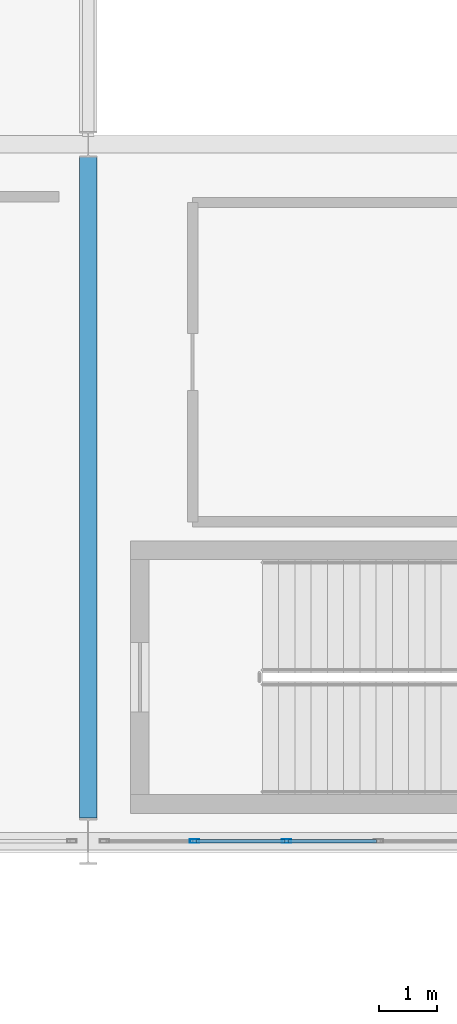
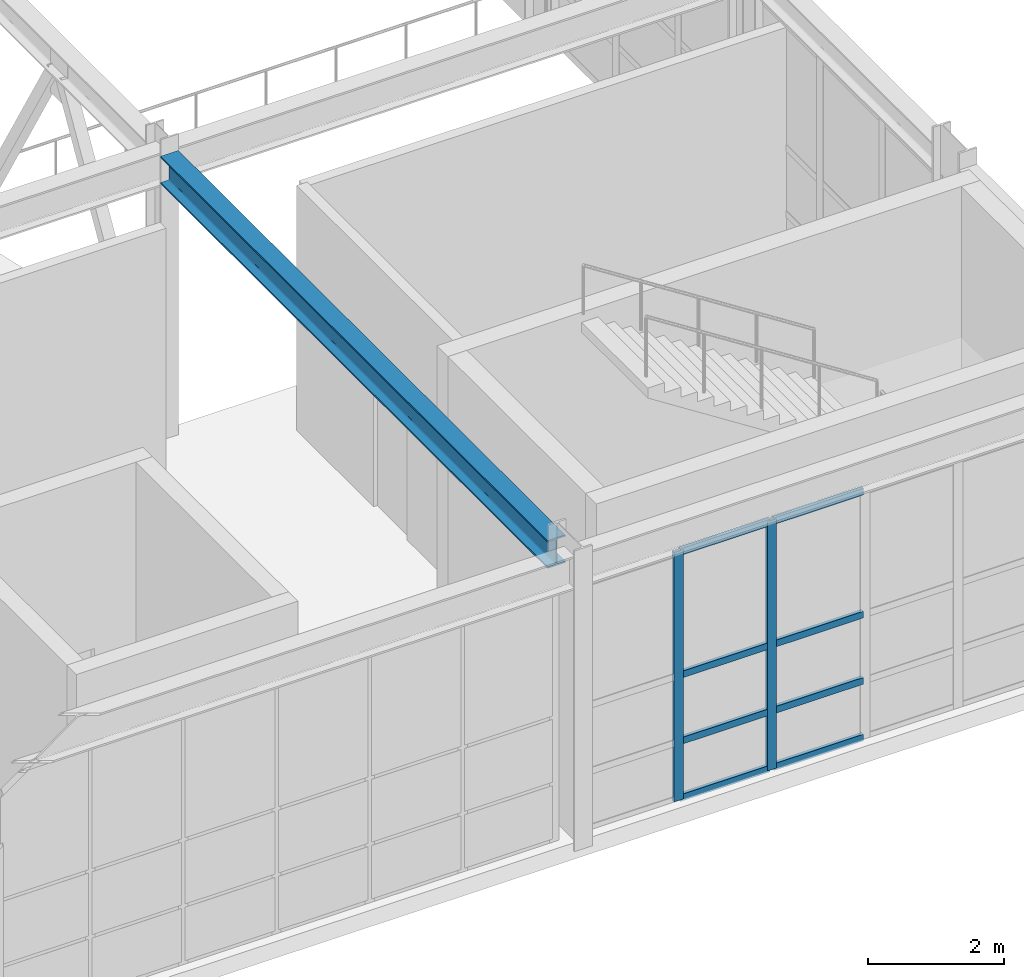
# One storey, part 114 of 210: 10 members, 1 beam, 1 element without a shape of its own.
"""IFC4 building model written with IfcOpenShell, lengths in metres."""

from ifc_helpers import new_model, si_unit, direction, frame, origin, origin_2d, place, context, subcontext, project, spatial, hollow_rectangle, i_section, extrude, material, material_profile, profile_set, type_object, element, aggregate, save


model = new_model("IFC4")

# Units and contexts
model_context = context("Model", 3, precision=1e-05, world=origin(), true_north=direction((0.0, 1.0)))
body_context = subcontext(model_context, "Body", "Model", "MODEL_VIEW")
ifc_project = project(units=[si_unit("LENGTHUNIT", "METRE"), si_unit("AREAUNIT", "SQUARE_METRE"), si_unit("VOLUMEUNIT", "CUBIC_METRE"), si_unit("PLANEANGLEUNIT", "RADIAN"), si_unit("MASSUNIT", "GRAM", prefix="KILO")], contexts=[model_context])

# Site, building, storey
site_placement = place(None, origin())
site = spatial("IfcSite", under=ifc_project, at=site_placement, CompositionType="ELEMENT")
building_placement = place(site_placement, origin())
building = spatial("IfcBuilding", under=site, at=building_placement, Name="Kaldris Quays Convention Centre", CompositionType="ELEMENT")
storey_placement = place(building_placement, frame((0.0, 0.0, 6.0)))
storey = spatial("IfcBuildingStorey", under=building, at=storey_placement, Name="L01", CompositionType="ELEMENT", Elevation=6.0)

# Curtain wall, members
ifc_material_1 = material(Name="Anodized aluminium AW-6060 and triple glazing", Category="aluminium")
curtain_wall_type = type_object("IfcCurtainWallType", Name="UNITISED CURTAIN WALL CW01", PredefinedType="NOTDEFINED", material=ifc_material_1)
curtain_wall_placement = place(storey_placement, origin())
curtain_wall = element("IfcCurtainWall", 1, at=curtain_wall_placement, inside=storey, type_object=curtain_wall_type, Name="L01 Unitised Curtain Wall CW01 25", PredefinedType="NOTDEFINED")
ifc_material_2 = material(Name="Anodized aluminium AW-6060", Category="aluminium")
ifc_material_profile_1 = material_profile(ifc_material_2, hollow_rectangle(XDim=0.06005859375, YDim=0.159912109375, WallThickness=0.00390625, at=origin_2d()), Name="RHS 160x60x4")
ifc_profile_set_1 = profile_set([ifc_material_profile_1], Name="Anodized aluminium AW-6060")
member_type_1 = type_object("IfcMemberType", Name="CURTAIN MULLION CWM1", PredefinedType="MULLION", material=ifc_profile_set_1)
member_1_placement = place(storey_placement, frame((195.833251953125, 56.0, 0.0), z_axis=(0.0, 0.0, 1.0), x_axis=(0.0, 1.0, 0.0)))
member_1 = element("IfcMember", 2, at=member_1_placement, type_object=member_type_1, Name="CW01 mullion 2", PredefinedType="MULLION", context=body_context, shape_type="SweptSolid", body=[
    extrude(hollow_rectangle(XDim=0.06005859375, YDim=0.159912109375, WallThickness=0.00390625, at=origin_2d()), origin(), (0.0, 0.0, 1.0), 4.47802734375),
])
member_2_placement = place(storey_placement, frame((197.416748046875, 56.0, 0.0), z_axis=(0.0, 0.0, 1.0), x_axis=(0.0, 1.0, 0.0)))
member_2 = element("IfcMember", 3, at=member_2_placement, type_object=member_type_1, Name="CW01 mullion 3", PredefinedType="MULLION", context=body_context, shape_type="SweptSolid", body=[
    extrude(hollow_rectangle(XDim=0.06005859375, YDim=0.159912109375, WallThickness=0.00390625, at=origin_2d()), origin(), (0.0, 0.0, 1.0), 4.47802734375),
])
ifc_material_profile_2 = material_profile(ifc_material_2, hollow_rectangle(XDim=0.06005859375, YDim=0.1201171875, WallThickness=0.00390625, at=origin_2d()), Name="RHS 120x60x4")
ifc_profile_set_2 = profile_set([ifc_material_profile_2], Name="Anodized aluminium AW-6060")
member_type_2 = type_object("IfcMemberType", Name="CURTAIN TRANSOM CWT1", PredefinedType="USERDEFINED", material=ifc_profile_set_2)
member_3_placement = place(storey_placement, frame((195.86328125, 56.0, 0.030029296875), z_axis=(1.0, 0.0, 0.0), x_axis=(0.0, 1.0, 0.0)))
member_3 = element("IfcMember", 4, at=member_3_placement, type_object=member_type_2, Name="CW01 transom 2.1", ObjectType="TRANSOM", PredefinedType="USERDEFINED", context=body_context, shape_type="SweptSolid", body=[
    extrude(hollow_rectangle(XDim=0.06005859375, YDim=0.1201171875, WallThickness=0.00390625, at=origin_2d()), origin(), (0.0, 0.0, 1.0), 1.5234375),
])
member_4_placement = place(storey_placement, frame((195.86328125, 56.0, 1.050048828125), z_axis=(1.0, 0.0, 0.0), x_axis=(0.0, 1.0, 0.0)))
member_4 = element("IfcMember", 5, at=member_4_placement, type_object=member_type_2, Name="CW01 transom 2.2", ObjectType="TRANSOM", PredefinedType="USERDEFINED", context=body_context, shape_type="SweptSolid", body=[
    extrude(hollow_rectangle(XDim=0.06005859375, YDim=0.1201171875, WallThickness=0.00390625, at=origin_2d()), origin(), (0.0, 0.0, 1.0), 1.5234375),
])
member_5_placement = place(storey_placement, frame((195.86328125, 56.0, 2.239013671875), z_axis=(1.0, 0.0, 0.0), x_axis=(0.0, 1.0, 0.0)))
member_5 = element("IfcMember", 6, at=member_5_placement, type_object=member_type_2, Name="CW01 transom 2.3", ObjectType="TRANSOM", PredefinedType="USERDEFINED", context=body_context, shape_type="SweptSolid", body=[
    extrude(hollow_rectangle(XDim=0.06005859375, YDim=0.1201171875, WallThickness=0.00390625, at=origin_2d()), origin(), (0.0, 0.0, 1.0), 1.5234375),
])
member_6_placement = place(storey_placement, frame((195.86328125, 56.0, 4.447998046875), z_axis=(1.0, 0.0, 0.0), x_axis=(0.0, 1.0, 0.0)))
member_6 = element("IfcMember", 7, at=member_6_placement, type_object=member_type_2, Name="CW01 transom 2.4", ObjectType="TRANSOM", PredefinedType="USERDEFINED", context=body_context, shape_type="SweptSolid", body=[
    extrude(hollow_rectangle(XDim=0.06005859375, YDim=0.1201171875, WallThickness=0.00390625, at=origin_2d()), origin(), (0.0, 0.0, 1.0), 1.5234375),
])
member_7_placement = place(storey_placement, frame((197.44677734375, 56.0, 0.030029296875), z_axis=(1.0, 0.0, 0.0), x_axis=(0.0, 1.0, 0.0)))
member_7 = element("IfcMember", 8, at=member_7_placement, type_object=member_type_2, Name="CW01 transom 3.1", ObjectType="TRANSOM", PredefinedType="USERDEFINED", context=body_context, shape_type="SweptSolid", body=[
    extrude(hollow_rectangle(XDim=0.06005859375, YDim=0.1201171875, WallThickness=0.00390625, at=origin_2d()), origin(), (0.0, 0.0, 1.0), 1.523193359375),
])
member_8_placement = place(storey_placement, frame((197.44677734375, 56.0, 1.050048828125), z_axis=(1.0, 0.0, 0.0), x_axis=(0.0, 1.0, 0.0)))
member_8 = element("IfcMember", 9, at=member_8_placement, type_object=member_type_2, Name="CW01 transom 3.2", ObjectType="TRANSOM", PredefinedType="USERDEFINED", context=body_context, shape_type="SweptSolid", body=[
    extrude(hollow_rectangle(XDim=0.06005859375, YDim=0.1201171875, WallThickness=0.00390625, at=origin_2d()), origin(), (0.0, 0.0, 1.0), 1.523193359375),
])
member_9_placement = place(storey_placement, frame((197.44677734375, 56.0, 2.239013671875), z_axis=(1.0, 0.0, 0.0), x_axis=(0.0, 1.0, 0.0)))
member_9 = element("IfcMember", 10, at=member_9_placement, type_object=member_type_2, Name="CW01 transom 3.3", ObjectType="TRANSOM", PredefinedType="USERDEFINED", context=body_context, shape_type="SweptSolid", body=[
    extrude(hollow_rectangle(XDim=0.06005859375, YDim=0.1201171875, WallThickness=0.00390625, at=origin_2d()), origin(), (0.0, 0.0, 1.0), 1.523193359375),
])
member_10_placement = place(storey_placement, frame((197.44677734375, 56.0, 4.447998046875), z_axis=(1.0, 0.0, 0.0), x_axis=(0.0, 1.0, 0.0)))
member_10 = element("IfcMember", 11, at=member_10_placement, type_object=member_type_2, Name="CW01 transom 3.4", ObjectType="TRANSOM", PredefinedType="USERDEFINED", context=body_context, shape_type="SweptSolid", body=[
    extrude(hollow_rectangle(XDim=0.06005859375, YDim=0.1201171875, WallThickness=0.00390625, at=origin_2d()), origin(), (0.0, 0.0, 1.0), 1.523193359375),
])
aggregate(curtain_wall, [member_1, member_2, member_3, member_4, member_5, member_6, member_7, member_8, member_9, member_10])

# Beam
ifc_material_3 = material(Name="Steel S355J2", Category="steel")
ifc_material_profile_3 = material_profile(ifc_material_3, i_section(OverallWidth=0.300048828125, OverallDepth=0.5, WebThickness=0.014404296875, FlangeThickness=0.028076171875, FilletRadius=0.027099609375, at=origin_2d()), Name="HEB 500")
ifc_profile_set_3 = profile_set([ifc_material_profile_3], Name="Steel S355J2")
beam_type = type_object("IfcBeamType", Name="STRUCTURAL BEAM BM06", PredefinedType="BEAM", material=ifc_profile_set_3)
beam_placement = place(storey_placement, frame((194.0, 56.39404296875, 4.85302734375), z_axis=(0.0, 1.0, 0.0), x_axis=(-1.0, 0.0, 0.0)))
element("IfcBeam", 12, at=beam_placement, inside=storey, type_object=beam_type, Name="L01 Girder BM06 17", PredefinedType="BEAM", context=body_context, shape_type="SweptSolid", body=[
    extrude(i_section(OverallWidth=0.300048828125, OverallDepth=0.5, WebThickness=0.014404296875, FlangeThickness=0.028076171875, FilletRadius=0.027099609375, at=origin_2d()), origin(), (0.0, 0.0, 1.0), 11.386962890625),
])

save(model, "model.ifc")
